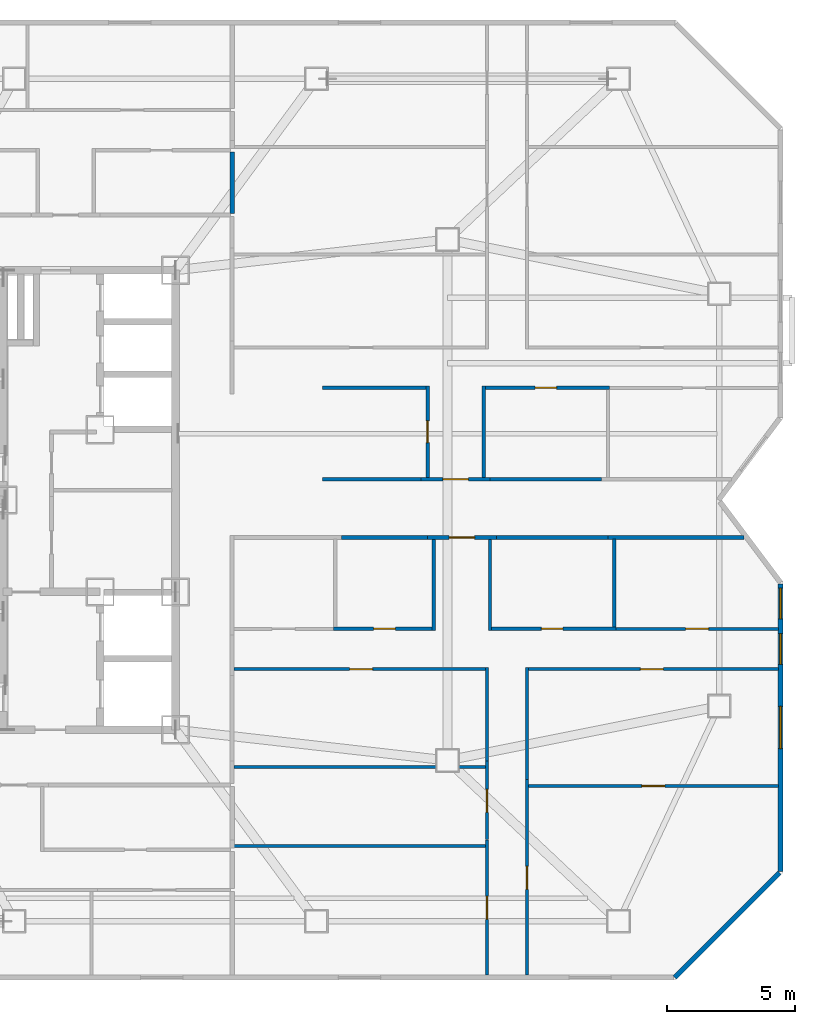
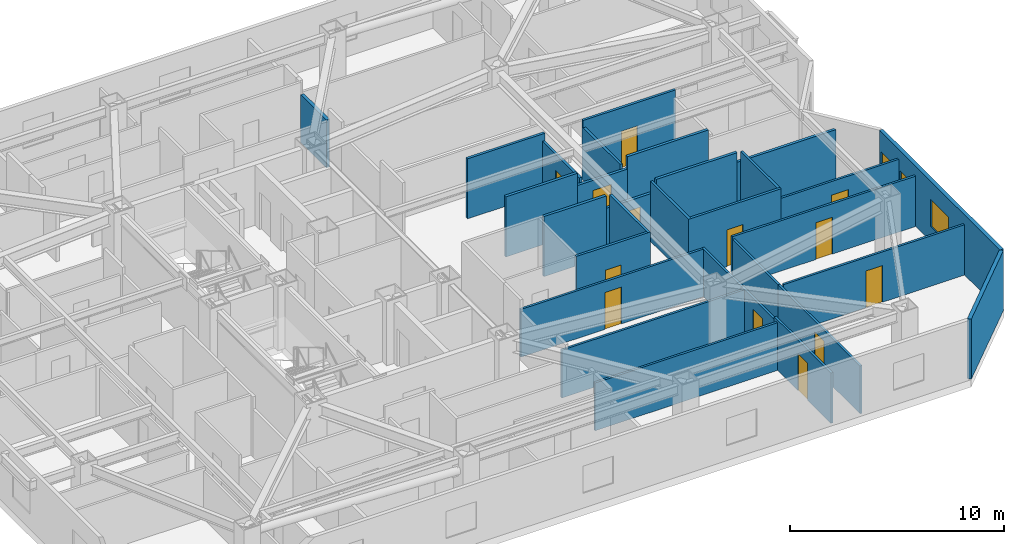
# One storey, part 8 of 11: 30 walls, 13 doors, 3 windows, 16 openings.
"""IFC4 building model written with IfcOpenShell, lengths in metres."""

import ifcopenshell
import ifcopenshell.guid

model = None  # the IFC model being written
_history = None  # IfcOwnerHistory: only IFC2X3 demands one
_inside = {}  # id of a spatial element -> (the spatial element, [elements in it])
_under = {}  # id of a project, library or spatial element -> (it, [spatial elements below it])
_declared = {}  # id of a project -> (the project, [libraries it declares])
_typed = {}  # id of a type object -> (the type object, [elements of that type])
_made_of = {}  # id of a material, layer set ... -> (it, [elements and type objects made of it])


def new_model(schema):
    """Start an empty IFC model of exactly this schema.

    Asked for "IFC4X3", IfcOpenShell would pick the latest addendum, in which some entities
    have other attributes; the version numbers below select the first issue.
    IFC2X3 requires an IfcOwnerHistory on every rooted entity: one is made here for all.
    """
    global model, _history
    if schema == "IFC4X3":
        model = ifcopenshell.file(schema_version=(4, 3, 0, 0))
    else:
        model = ifcopenshell.file(schema=schema)
    _inside.clear()
    _under.clear()
    _declared.clear()
    _typed.clear()
    _made_of.clear()
    _history = None
    if model.schema == "IFC2X3":
        org = make("IfcOrganization", Name="unknown")
        user = make(
            "IfcPersonAndOrganization",
            ThePerson=make("IfcPerson", FamilyName="unknown"),
            TheOrganization=org,
        )
        app = make(
            "IfcApplication",
            ApplicationDeveloper=org,
            Version="unknown",
            ApplicationFullName="unknown",
            ApplicationIdentifier="unknown",
        )
        _history = make(
            "IfcOwnerHistory",
            OwningUser=user,
            OwningApplication=app,
            ChangeAction="ADDED",
            CreationDate=0,
        )
    return model


def make(cls, **values):
    """One entity of the class cls with the attributes given. An attribute that is None is left unset."""
    return model.create_entity(
        cls, **{name: value for name, value in values.items() if value is not None}
    )


def rooted(cls, **values):
    """An entity with a GlobalId (a new one), such as an element, a storey or a relation."""
    return make(cls, GlobalId=ifcopenshell.guid.new(), OwnerHistory=_history, **values)


def si_unit(unit_type, name, prefix=None):
    """IfcSIUnit, for example si_unit("LENGTHUNIT", "METRE", prefix="MILLI")."""
    return make("IfcSIUnit", UnitType=unit_type, Prefix=prefix, Name=name)


def assignment(units):
    """IfcUnitAssignment: the units of a project."""
    return None if units is None else make("IfcUnitAssignment", Units=units)


def point(xyz):
    """IfcCartesianPoint."""
    return None if xyz is None else make("IfcCartesianPoint", Coordinates=xyz)


def direction(xyz):
    """IfcDirection."""
    return None if xyz is None else make("IfcDirection", DirectionRatios=xyz)


def frame(location, z_axis=None, x_axis=None):
    """IfcAxis2Placement3D, a coordinate frame: its origin and axes. An axis left out is left unset."""
    return make(
        "IfcAxis2Placement3D",
        Location=point(location),
        Axis=direction(z_axis),
        RefDirection=direction(x_axis),
    )


def frame_2d(location, x_axis=None):
    """IfcAxis2Placement2D, a coordinate frame in the plane: its origin and x axis."""
    return make(
        "IfcAxis2Placement2D", Location=point(location), RefDirection=direction(x_axis)
    )


def origin():
    """The frame at (0, 0, 0) with its axes left unset."""
    return frame((0.0, 0.0, 0.0))


def place(relative_to, where):
    """IfcLocalPlacement: puts the frame where relative to a parent placement (None: the world)."""
    return make(
        "IfcLocalPlacement", PlacementRelTo=relative_to, RelativePlacement=where
    )


def context(
    kind, dimensions, precision=None, world=None, true_north=None, identifier=None
):
    """IfcGeometricRepresentationContext, for example the 3D "Model" context."""
    return make(
        "IfcGeometricRepresentationContext",
        ContextIdentifier=identifier,
        ContextType=kind,
        CoordinateSpaceDimension=dimensions,
        Precision=precision,
        WorldCoordinateSystem=world,
        TrueNorth=true_north,
    )


def subcontext(parent, identifier, kind, view, scale=None):
    """IfcGeometricRepresentationSubContext, for example "Body" below "Model"."""
    return make(
        "IfcGeometricRepresentationSubContext",
        ContextIdentifier=identifier,
        ContextType=kind,
        ParentContext=parent,
        TargetScale=scale,
        TargetView=view,
    )


def project(units=None, contexts=None):
    """IfcProject with its units and contexts."""
    return rooted(
        "IfcProject",
        Name="project",
        RepresentationContexts=contexts,
        UnitsInContext=assignment(units),
    )


def spatial(cls, under=None, at=None, **own):
    """A site, building, storey or space (cls), placed at a placement, below another one or the project."""
    s = rooted(cls, ObjectPlacement=at, **own)
    if under is not None:
        _under.setdefault(under.id(), (under, []))[1].append(s)
    return s


def profile(cls, at=None, kind="AREA", **sizes):
    """A parametric profile (cls). Its sizes go by their IFC names, for example OverallWidth=200.0."""
    return make(cls, ProfileType=kind, Position=at, **sizes)


def rectangle(**sizes):
    """IfcRectangleProfileDef."""
    return profile("IfcRectangleProfileDef", **sizes)


def extrude(swept, where, along, depth):
    """IfcExtrudedAreaSolid: the profile swept, set in the frame where, extruded along a direction by depth."""
    return make(
        "IfcExtrudedAreaSolid",
        SweptArea=swept,
        Position=where,
        ExtrudedDirection=direction(along),
        Depth=depth,
    )


def shape(context_of_items, identifier, shape_type, items):
    """IfcShapeRepresentation: the items that make up one representation, for example the "Body"."""
    return make(
        "IfcShapeRepresentation",
        ContextOfItems=context_of_items,
        RepresentationIdentifier=identifier,
        RepresentationType=shape_type,
        Items=items,
    )


def material(Name=None, Category=None):
    """IfcMaterial."""
    return make("IfcMaterial", Name=Name, Category=Category)


def layer(
    of_material, thickness, ventilated=None, Name=None, Category=None, Priority=None
):
    """IfcMaterialLayer: one layer of a wall or slab, of a material (None: an air gap)."""
    return make(
        "IfcMaterialLayer",
        Material=of_material,
        LayerThickness=thickness,
        IsVentilated=ventilated,
        Name=Name,
        Category=Category,
        Priority=Priority,
    )


def layer_set(layers, Name=None):
    """IfcMaterialLayerSet."""
    return make("IfcMaterialLayerSet", MaterialLayers=layers, LayerSetName=Name)


def made_of(thing, what):
    """Note that an element or type object is made of a material, layer set ...; save() writes the relation."""
    if what is not None:
        _made_of.setdefault(what.id(), (what, []))[1].append(thing)
    return thing


def type_object(cls, material=None, **own):
    """A type object (cls), such as IfcWallType, which elements share."""
    return made_of(rooted(cls, **own), material)


def element(
    cls,
    number,
    at=None,
    inside=None,
    cuts=None,
    type_object=None,
    material=None,
    context=None,
    identifier="Body",
    shape_type=None,
    held_by="IfcProductDefinitionShape",
    body=None,
    shapes=None,
    **own,
):
    """One element of the class cls, such as IfcWall. Its Tag is "e" and its number.

    at: its placement. inside: the storey or other place that contains it. cuts: it is an
    opening in that element (IfcRelVoidsElement). A single representation is given by context,
    identifier, shape_type and body (its items); several are given by shapes. held_by: the class
    of the entity that holds the representations. save() writes the other relations.
    """
    e = rooted(cls, Tag="e%d" % number, ObjectPlacement=at, **own)
    if body is not None:
        shapes = [shape(context, identifier, shape_type, body)]
    if shapes is not None:
        e.Representation = make(held_by, Representations=shapes)
    if inside is not None:
        _inside.setdefault(inside.id(), (inside, []))[1].append(e)
    if cuts is not None:
        rooted(
            "IfcRelVoidsElement", RelatingBuildingElement=cuts, RelatedOpeningElement=e
        )
    if type_object is not None:
        _typed.setdefault(type_object.id(), (type_object, []))[1].append(e)
    return made_of(e, material)


def fill(opening, filler):
    """IfcRelFillsElement: the door or window that sits in an opening."""
    return rooted(
        "IfcRelFillsElement",
        RelatingOpeningElement=opening,
        RelatedBuildingElement=filler,
    )


def aggregate(whole, parts):
    """IfcRelAggregates: a whole, such as a stair, and the parts it consists of."""
    return rooted("IfcRelAggregates", RelatingObject=whole, RelatedObjects=parts)


def save(model, path):
    """Write the relations noted so far, then the file.

    IfcRelAggregates (storeys below a building ...), IfcRelContainedInSpatialStructure (elements
    in a storey), IfcRelDefinesByType, IfcRelAssociatesMaterial and IfcRelDeclares: one each for
    every whole, place, type object, material and project.
    """
    for whole, parts in _under.values():
        aggregate(whole, parts)
    for where, things in _inside.values():
        rooted(
            "IfcRelContainedInSpatialStructure",
            RelatedElements=things,
            RelatingStructure=where,
        )
    for kind, things in _typed.values():
        rooted("IfcRelDefinesByType", RelatedObjects=things, RelatingType=kind)
    for what, things in _made_of.values():
        rooted("IfcRelAssociatesMaterial", RelatedObjects=things, RelatingMaterial=what)
    for by, libraries in _declared.values():
        rooted("IfcRelDeclares", RelatingContext=by, RelatedDefinitions=libraries)
    model.write(path)


model = new_model("IFC4")

# Units and contexts
model_context = context("Model", 3, precision=1e-05, world=origin(), true_north=direction((0.0, 1.0)))
body_context = subcontext(model_context, "Body", "Model", "MODEL_VIEW")
ifc_project = project(units=[si_unit("LENGTHUNIT", "METRE"), si_unit("AREAUNIT", "SQUARE_METRE"), si_unit("VOLUMEUNIT", "CUBIC_METRE"), si_unit("PLANEANGLEUNIT", "RADIAN"), si_unit("MASSUNIT", "GRAM", prefix="KILO")], contexts=[model_context])

# Site, building, storey
site_placement = place(None, origin())
site = spatial("IfcSite", under=ifc_project, at=site_placement, CompositionType="ELEMENT")
building_placement = place(site_placement, origin())
building = spatial("IfcBuilding", under=site, at=building_placement, Name="Khamvora Tower", CompositionType="ELEMENT")
storey_placement = place(building_placement, frame((0.0, 0.0, 155.89990234375)))
storey = spatial("IfcBuildingStorey", under=building, at=storey_placement, Name="L39", CompositionType="ELEMENT", Elevation=155.89990234375)

# Wall
ifc_material_1 = material(Name="Fire-Rated Drywall and Steel Stud", Category="steel")
ifc_layer_1 = layer(ifc_material_1, 0.14990234375)
ifc_layer_set_1 = layer_set([ifc_layer_1], Name="Fire-Rated Drywall and Steel Stud")
wall_type_1 = type_object("IfcWallType", Name="WAL-CORR-150", PredefinedType="STANDARD", material=ifc_layer_set_1)
wall_1_placement = place(storey_placement, frame((61.669921875, 26.534912109375, 0.0), z_axis=(0.0, 0.0, 1.0), x_axis=(-1.0, 0.0, 0.0)))
element("IfcWall", 1, at=wall_1_placement, inside=storey, type_object=wall_type_1, Name="L39 interior partition wall 024", PredefinedType="STANDARD", context=body_context, shape_type="SweptSolid", body=[
    extrude(rectangle(XDim=5.3359375, YDim=0.14990234375, at=frame_2d((2.66796875, 0.0))), origin(), (0.0, 0.0, 1.0), 2.8759765625),
])

# Wall, opening, door
wall_2_placement = place(storey_placement, frame((51.967041015625, 26.534912109375, 0.0), z_axis=(0.0, 0.0, 1.0), x_axis=(-1.0, 0.0, 0.0)))
wall_2 = element("IfcWall", 2, at=wall_2_placement, inside=storey, type_object=wall_type_1, Name="L39 interior partition wall 025", PredefinedType="STANDARD", context=body_context, shape_type="SweptSolid", body=[
    extrude(rectangle(XDim=2.697998046875, YDim=0.14990234375, at=frame_2d((1.34912109375, 0.0))), origin(), (0.0, 0.0, 1.0), 2.72509765625),
])
opening_1_placement = place(wall_2_placement, frame((0.84912109375, 0.0, 0.0)))
opening_1 = element("IfcOpeningElement", 3, at=opening_1_placement, cuts=wall_2, Name="Opening D-U1", PredefinedType="OPENING", context=body_context, shape_type="SweptSolid", body=[
    extrude(rectangle(XDim=1.0, YDim=2.14990234375, at=frame_2d((0.5, 1.074951171875))), frame((0.0, 0.0849609375, 0.0), z_axis=(0.0, -1.0, 0.0), x_axis=(1.0, 0.0, 0.0)), (0.0, 0.0, 1.0), 0.169921875),
])
ifc_material_2 = material(Name="Powder-Coated Steel and Hardwood Leaf", Category="steel")
door_type_1 = type_object("IfcDoorType", Name="DOR-UNIT-1000", OperationType="NOTDEFINED", PredefinedType="DOOR", material=ifc_material_2)
door_1_placement = place(opening_1_placement, origin())
door_1 = element("IfcDoor", 4, at=door_1_placement, inside=storey, type_object=door_type_1, Name="L39 interior door COR-39EAH", OperationType="SINGLE_SWING_RIGHT", OverallHeight=2.14990234375, OverallWidth=1.0, PredefinedType="DOOR", context=body_context, shape_type="SweptSolid", body=[
    extrude(rectangle(XDim=1.0, YDim=2.14990234375, at=frame_2d((0.5, 1.074951171875))), frame((0.0, 0.02490234375, 0.0), z_axis=(0.0, -1.0, 0.0), x_axis=(1.0, 0.0, 0.0)), (0.0, 0.0, 1.0), 0.050048828125),
])
fill(opening_1, door_1)

# Walls
wall_3_placement = place(storey_placement, frame((49.26904296875, 26.534912109375, 0.0), z_axis=(0.0, 0.0, 1.0), x_axis=(-1.0, 0.0, 0.0)))
element("IfcWall", 5, at=wall_3_placement, inside=storey, type_object=wall_type_1, Name="L39 interior partition wall 027", PredefinedType="STANDARD", context=body_context, shape_type="SweptSolid", body=[
    extrude(rectangle(XDim=3.366943359375, YDim=0.14990234375, at=frame_2d((1.68359375, 0.0))), origin(), (0.0, 0.0, 1.0), 3.43017578125),
])
wall_4_placement = place(storey_placement, frame((56.333984375, 26.534912109375, 0.0), z_axis=(0.0, 0.0, 1.0), x_axis=(-1.0, 0.0, 0.0)))
element("IfcWall", 6, at=wall_4_placement, inside=storey, type_object=wall_type_1, Name="L39 interior partition wall 028", PredefinedType="STANDARD", context=body_context, shape_type="SweptSolid", body=[
    extrude(rectangle(XDim=4.366943359375, YDim=0.14990234375, at=frame_2d((2.18359375, 0.0))), origin(), (0.0, 0.0, 1.0), 3.43017578125),
])

# Wall, opening, door
wall_5_placement = place(storey_placement, frame((49.02490234375, 28.81494140625, 0.0), z_axis=(0.0, 0.0, 1.0), x_axis=(1.0, 0.0, 0.0)))
wall_5 = element("IfcWall", 7, at=wall_5_placement, inside=storey, type_object=wall_type_1, Name="L39 interior partition wall 033", PredefinedType="STANDARD", context=body_context, shape_type="SweptSolid", body=[
    extrude(rectangle(XDim=2.69921875, YDim=0.14990234375, at=frame_2d((1.349609375, 0.0))), origin(), (0.0, 0.0, 1.0), 2.72509765625),
])
opening_2_placement = place(wall_5_placement, frame((0.84912109375, 0.0, 0.0)))
opening_2 = element("IfcOpeningElement", 8, at=opening_2_placement, cuts=wall_5, Name="Opening D-U1", PredefinedType="OPENING", context=body_context, shape_type="SweptSolid", body=[
    extrude(rectangle(XDim=1.0, YDim=2.14990234375, at=frame_2d((0.5, 1.074951171875))), frame((0.0, 0.0849609375, 0.0), z_axis=(0.0, -1.0, 0.0), x_axis=(1.0, 0.0, 0.0)), (0.0, 0.0, 1.0), 0.169921875),
])
door_2_placement = place(opening_2_placement, origin())
door_2 = element("IfcDoor", 9, at=door_2_placement, inside=storey, type_object=door_type_1, Name="L39 interior door COR-39EBH", OperationType="SINGLE_SWING_LEFT", OverallHeight=2.14990234375, OverallWidth=1.0, PredefinedType="DOOR", context=body_context, shape_type="SweptSolid", body=[
    extrude(rectangle(XDim=1.0, YDim=2.14990234375, at=frame_2d((0.5, 1.074951171875))), frame((0.0, 0.02490234375, 0.0), z_axis=(0.0, -1.0, 0.0), x_axis=(1.0, 0.0, 0.0)), (0.0, 0.0, 1.0), 0.050048828125),
])
fill(opening_2, door_2)

# Walls
wall_6_placement = place(storey_placement, frame((45.159912109375, 28.81494140625, 0.0), z_axis=(0.0, 0.0, 1.0), x_axis=(1.0, 0.0, 0.0)))
element("IfcWall", 10, at=wall_6_placement, inside=storey, type_object=wall_type_1, Name="L39 interior partition wall 034", PredefinedType="STANDARD", context=body_context, shape_type="SweptSolid", body=[
    extrude(rectangle(XDim=3.864990234375, YDim=0.14990234375, at=frame_2d((1.9326171875, 0.0))), origin(), (0.0, 0.0, 1.0), 3.43017578125),
])
wall_7_placement = place(storey_placement, frame((51.72412109375, 28.81494140625, 0.0), z_axis=(0.0, 0.0, 1.0), x_axis=(1.0, 0.0, 0.0)))
element("IfcWall", 11, at=wall_7_placement, inside=storey, type_object=wall_type_1, Name="L39 interior partition wall 035", PredefinedType="STANDARD", context=body_context, shape_type="SweptSolid", body=[
    extrude(rectangle(XDim=4.365966796875, YDim=0.14990234375, at=frame_2d((2.18310546875, 0.0))), origin(), (0.0, 0.0, 1.0), 3.43017578125),
])
ifc_material_3 = material(Name="Acoustic Double-Stud Fire Wall", Category="gypsum")
ifc_layer_2 = layer(ifc_material_3, 0.179931640625)
ifc_layer_set_2 = layer_set([ifc_layer_2], Name="Acoustic Double-Stud Fire Wall")
wall_type_2 = type_object("IfcWallType", Name="WAL-CORR-180", PredefinedType="STANDARD", material=ifc_layer_set_2)
wall_8_placement = place(storey_placement, frame((41.614990234375, 41.6298828125, 0.0), z_axis=(0.0, 0.0, 1.0), x_axis=(0.0, -1.0, 0.0)))
element("IfcWall", 12, at=wall_8_placement, inside=storey, type_object=wall_type_2, Name="L39 interior partition wall 084", PredefinedType="STANDARD", context=body_context, shape_type="SweptSolid", body=[
    extrude(rectangle(XDim=2.39990234375, YDim=0.179931640625, at=frame_2d((1.199951171875, 0.0))), origin(), (0.0, 0.0, 1.0), 2.72509765625),
])

# Wall, openings, windows
ifc_material_4 = material(Name="Precast concrete C40/50", Category="concrete")
ifc_layer_3 = layer(ifc_material_4, 0.199951171875)
ifc_layer_set_3 = layer_set([ifc_layer_3], Name="Precast concrete C40/50")
wall_type_3 = type_object("IfcWallType", Name="WAL-EXT-200", PredefinedType="STANDARD", material=ifc_layer_set_3)
wall_9_placement = place(storey_placement, frame((63.10009765625, 24.717041015625, 0.0), z_axis=(0.0, 0.0, 1.0), x_axis=(0.0, -1.0, 0.0)))
wall_9 = element("IfcWall", 13, at=wall_9_placement, inside=storey, type_object=wall_type_3, Name="L39 exterior facade wall 12.1", PredefinedType="STANDARD", context=body_context, shape_type="SweptSolid", body=[
    extrude(rectangle(XDim=11.276123046875, YDim=0.199951171875, at=frame_2d((5.63818359375, 0.0))), origin(), (0.0, 0.0, 1.0), 3.43017578125),
])
opening_3_placement = place(wall_9_placement, frame((0.173095703125, 0.0, 0.800048828125)))
opening_3 = element("IfcOpeningElement", 14, at=opening_3_placement, cuts=wall_9, Name="Opening WN-03", PredefinedType="OPENING", context=body_context, shape_type="SweptSolid", body=[
    extrude(rectangle(XDim=1.199951171875, YDim=1.5, at=frame_2d((0.60009765625, 0.75))), frame((0.0, 0.10986328125, 0.0), z_axis=(0.0, -1.0, 0.0), x_axis=(1.0, 0.0, 0.0)), (0.0, 0.0, 1.0), 0.219970703125),
])
opening_4_placement = place(wall_9_placement, frame((1.951904296875, 0.0, 0.800048828125)))
opening_4 = element("IfcOpeningElement", 15, at=opening_4_placement, cuts=wall_9, Name="Opening WN-03", PredefinedType="OPENING", context=body_context, shape_type="SweptSolid", body=[
    extrude(rectangle(XDim=1.199951171875, YDim=1.5, at=frame_2d((0.60009765625, 0.75))), frame((0.0, 0.10986328125, 0.0), z_axis=(0.0, -1.0, 0.0), x_axis=(1.0, 0.0, 0.0)), (0.0, 0.0, 1.0), 0.219970703125),
])
opening_5_placement = place(wall_9_placement, frame((4.804931640625, 0.0, 0.85009765625)))
opening_5 = element("IfcOpeningElement", 16, at=opening_5_placement, cuts=wall_9, Name="Opening WN-06", PredefinedType="OPENING", context=body_context, shape_type="SweptSolid", body=[
    extrude(rectangle(XDim=1.64990234375, YDim=1.550048828125, at=frame_2d((0.824951171875, 0.77490234375))), frame((0.0, 0.10986328125, 0.0), z_axis=(0.0, -1.0, 0.0), x_axis=(1.0, 0.0, 0.0)), (0.0, 0.0, 1.0), 0.219970703125),
])
ifc_material_5 = material(Name="Low-E Laminated Double Glazing", Category="glass")
window_type_1 = type_object("IfcWindowType", Name="WIN-VIS-1200x1500", PartitioningType="SINGLE_PANEL", PredefinedType="WINDOW", material=ifc_material_5)
window_1_placement = place(opening_3_placement, origin())
window_1 = element("IfcWindow", 17, at=window_1_placement, inside=storey, type_object=window_type_1, Name="L39 vision window 12.1.01", OverallHeight=1.5, OverallWidth=1.199951171875, PartitioningType="SINGLE_PANEL", PredefinedType="WINDOW", context=body_context, shape_type="SweptSolid", body=[
    extrude(rectangle(XDim=1.199951171875, YDim=1.5, at=frame_2d((0.60009765625, 0.75))), frame((0.0, 0.030029296875, 0.0), z_axis=(0.0, -1.0, 0.0), x_axis=(1.0, 0.0, 0.0)), (0.0, 0.0, 1.0), 0.06005859375),
])
fill(opening_3, window_1)
window_2_placement = place(opening_4_placement, origin())
window_2 = element("IfcWindow", 18, at=window_2_placement, inside=storey, type_object=window_type_1, Name="L39 vision window 12.1.02", OverallHeight=1.5, OverallWidth=1.199951171875, PartitioningType="SINGLE_PANEL", PredefinedType="WINDOW", context=body_context, shape_type="SweptSolid", body=[
    extrude(rectangle(XDim=1.199951171875, YDim=1.5, at=frame_2d((0.60009765625, 0.75))), frame((0.0, 0.030029296875, 0.0), z_axis=(0.0, -1.0, 0.0), x_axis=(1.0, 0.0, 0.0)), (0.0, 0.0, 1.0), 0.06005859375),
])
fill(opening_4, window_2)
window_type_2 = type_object("IfcWindowType", Name="WIN-VIS-1650x1550", PartitioningType="SINGLE_PANEL", PredefinedType="WINDOW", material=ifc_material_5)
window_3_placement = place(opening_5_placement, origin())
window_3 = element("IfcWindow", 19, at=window_3_placement, inside=storey, type_object=window_type_2, Name="L39 vision window 12.1.03", OverallHeight=1.550048828125, OverallWidth=1.64990234375, PartitioningType="SINGLE_PANEL", PredefinedType="WINDOW", context=body_context, shape_type="SweptSolid", body=[
    extrude(rectangle(XDim=1.64990234375, YDim=1.550048828125, at=frame_2d((0.824951171875, 0.77490234375))), frame((0.0, 0.030029296875, 0.0), z_axis=(0.0, -1.0, 0.0), x_axis=(1.0, 0.0, 0.0)), (0.0, 0.0, 1.0), 0.06005859375),
])
fill(opening_5, window_3)

# Wall
wall_10_placement = place(storey_placement, frame((63.056884765625, 13.39794921875, 0.0), z_axis=(0.0, 0.0, 1.0), x_axis=(-0.707106781187, -0.707106781187, 0.0)))
element("IfcWall", 20, at=wall_10_placement, inside=storey, type_object=wall_type_3, Name="L39 exterior facade wall 13.1", PredefinedType="STANDARD", context=body_context, shape_type="SweptSolid", body=[
    extrude(rectangle(XDim=5.79541015625, YDim=0.199951171875, at=frame_2d((2.897705078125, 0.0))), origin(), (0.0, 0.0, 1.0), 3.43017578125),
])

# Wall, opening, door
ifc_material_6 = material(Name="Gypsum Plasterboard Partition", Category="gypsum")
ifc_layer_4 = layer(ifc_material_6, 0.1201171875)
ifc_layer_set_4 = layer_set([ifc_layer_4], Name="Gypsum Plasterboard Partition")
wall_type_4 = type_object("IfcWallType", Name="WAL-PART-120", PredefinedType="PARTITIONING", material=ifc_layer_set_4)
wall_11_placement = place(storey_placement, frame((63.008056640625, 22.955078125, 0.0), z_axis=(0.0, 0.0, 1.0), x_axis=(-1.0, 0.0, 0.0)))
wall_11 = element("IfcWall", 21, at=wall_11_placement, inside=storey, type_object=wall_type_4, Name="L39 interior partition wall 089", PredefinedType="PARTITIONING", context=body_context, shape_type="SweptSolid", body=[
    extrude(rectangle(XDim=6.360107421875, YDim=0.1201171875, at=frame_2d((3.18017578125, 0.0))), origin(), (0.0, 0.0, 1.0), 2.8759765625),
])
opening_6_placement = place(wall_11_placement, frame((2.72998046875, 0.0, 0.0)))
opening_6 = element("IfcOpeningElement", 22, at=opening_6_placement, cuts=wall_11, Name="Opening D-RM1", PredefinedType="OPENING", context=body_context, shape_type="SweptSolid", body=[
    extrude(rectangle(XDim=0.89990234375, YDim=2.10009765625, at=frame_2d((0.449951171875, 1.050048828125))), frame((0.0, 0.070068359375, 0.0), z_axis=(0.0, -1.0, 0.0), x_axis=(1.0, 0.0, 0.0)), (0.0, 0.0, 1.0), 0.14013671875),
])
door_type_2 = type_object("IfcDoorType", Name="DOR-ROOM-900", OperationType="NOTDEFINED", PredefinedType="DOOR", material=ifc_material_2)
door_3_placement = place(opening_6_placement, origin())
door_3 = element("IfcDoor", 23, at=door_3_placement, inside=storey, type_object=door_type_2, Name="L39 interior door 39EAW2-39EAH", OperationType="SINGLE_SWING_LEFT", OverallHeight=2.10009765625, OverallWidth=0.89990234375, PredefinedType="DOOR", context=body_context, shape_type="SweptSolid", body=[
    extrude(rectangle(XDim=0.89990234375, YDim=2.10009765625, at=frame_2d((0.449951171875, 1.050048828125))), frame((0.0, 0.02490234375, 0.0), z_axis=(0.0, -1.0, 0.0), x_axis=(1.0, 0.0, 0.0)), (0.0, 0.0, 1.0), 0.050048828125),
])
fill(opening_6, door_3)

wall_12_placement = place(storey_placement, frame((51.60009765625, 9.39208984375, 0.0), z_axis=(0.0, 0.0, 1.0), x_axis=(0.0, 1.0, 0.0)))
wall_12 = element("IfcWall", 24, at=wall_12_placement, inside=storey, type_object=wall_type_4, Name="L39 interior partition wall 095", PredefinedType="PARTITIONING", context=body_context, shape_type="SweptSolid", body=[
    extrude(rectangle(XDim=5.301025390625, YDim=0.1201171875, at=frame_2d((2.650390625, 0.0))), origin(), (0.0, 0.0, 1.0), 2.8759765625),
])
opening_7_placement = place(wall_12_placement, frame((2.178955078125, 0.0, 0.0)))
opening_7 = element("IfcOpeningElement", 25, at=opening_7_placement, cuts=wall_12, Name="Opening D-RM1", PredefinedType="OPENING", context=body_context, shape_type="SweptSolid", body=[
    extrude(rectangle(XDim=0.89990234375, YDim=2.10009765625, at=frame_2d((0.449951171875, 1.050048828125))), frame((0.0, 0.070068359375, 0.0), z_axis=(0.0, -1.0, 0.0), x_axis=(1.0, 0.0, 0.0)), (0.0, 0.0, 1.0), 0.14013671875),
])
door_4_placement = place(opening_7_placement, origin())
door_4 = element("IfcDoor", 26, at=door_4_placement, inside=storey, type_object=door_type_2, Name="L39 interior door 39EAH-39EAR1", OperationType="SINGLE_SWING_RIGHT", OverallHeight=2.10009765625, OverallWidth=0.89990234375, PredefinedType="DOOR", context=body_context, shape_type="SweptSolid", body=[
    extrude(rectangle(XDim=0.89990234375, YDim=2.10009765625, at=frame_2d((0.449951171875, 1.050048828125))), frame((0.0, 0.02490234375, 0.0), z_axis=(0.0, -1.0, 0.0), x_axis=(1.0, 0.0, 0.0)), (0.0, 0.0, 1.0), 0.050048828125),
])
fill(opening_7, door_4)

wall_13_placement = place(storey_placement, frame((51.60009765625, 14.693115234375, 0.0), z_axis=(0.0, 0.0, 1.0), x_axis=(0.0, 1.0, 0.0)))
wall_13 = element("IfcWall", 27, at=wall_13_placement, inside=storey, type_object=wall_type_4, Name="L39 interior partition wall 096", PredefinedType="PARTITIONING", context=body_context, shape_type="SweptSolid", body=[
    extrude(rectangle(XDim=3.0927734375, YDim=0.1201171875, at=frame_2d((1.54638671875, 0.0))), origin(), (0.0, 0.0, 1.0), 2.72509765625),
])
opening_8_placement = place(wall_13_placement, frame((1.075927734375, 0.0, 0.0)))
opening_8 = element("IfcOpeningElement", 28, at=opening_8_placement, cuts=wall_13, Name="Opening D-RM1", PredefinedType="OPENING", context=body_context, shape_type="SweptSolid", body=[
    extrude(rectangle(XDim=0.89990234375, YDim=2.10009765625, at=frame_2d((0.449951171875, 1.050048828125))), frame((0.0, 0.070068359375, 0.0), z_axis=(0.0, -1.0, 0.0), x_axis=(1.0, 0.0, 0.0)), (0.0, 0.0, 1.0), 0.14013671875),
])
door_5_placement = place(opening_8_placement, origin())
door_5 = element("IfcDoor", 29, at=door_5_placement, inside=storey, type_object=door_type_2, Name="L39 interior door 39EAH-39EAR2", OperationType="SINGLE_SWING_LEFT", OverallHeight=2.10009765625, OverallWidth=0.89990234375, PredefinedType="DOOR", context=body_context, shape_type="SweptSolid", body=[
    extrude(rectangle(XDim=0.89990234375, YDim=2.10009765625, at=frame_2d((0.449951171875, 1.050048828125))), frame((0.0, 0.02490234375, 0.0), z_axis=(0.0, -1.0, 0.0), x_axis=(1.0, 0.0, 0.0)), (0.0, 0.0, 1.0), 0.050048828125),
])
fill(opening_8, door_5)

# Wall
wall_14_placement = place(storey_placement, frame((51.60009765625, 17.785888671875, 0.0), z_axis=(0.0, 0.0, 1.0), x_axis=(0.0, 1.0, 0.0)))
element("IfcWall", 30, at=wall_14_placement, inside=storey, type_object=wall_type_4, Name="L39 interior partition wall 097", PredefinedType="PARTITIONING", context=body_context, shape_type="SweptSolid", body=[
    extrude(rectangle(XDim=3.654052734375, YDim=0.1201171875, at=frame_2d((1.8271484375, 0.0))), origin(), (0.0, 0.0, 1.0), 2.72509765625),
])

# Wall, opening, door
wall_15_placement = place(storey_placement, frame((51.653076171875, 21.375, 0.0), z_axis=(0.0, 0.0, 1.0), x_axis=(-1.0, 0.0, 0.0)))
wall_15 = element("IfcWall", 31, at=wall_15_placement, inside=storey, type_object=wall_type_4, Name="L39 interior partition wall 098", PredefinedType="PARTITIONING", context=body_context, shape_type="SweptSolid", body=[
    extrude(rectangle(XDim=9.97119140625, YDim=0.1201171875, at=frame_2d((4.985595703125, 0.0))), origin(), (0.0, 0.0, 1.0), 2.72509765625),
])
opening_9_placement = place(wall_15_placement, frame((4.534912109375, 0.0, 0.0)))
opening_9 = element("IfcOpeningElement", 32, at=opening_9_placement, cuts=wall_15, Name="Opening D-RM1", PredefinedType="OPENING", context=body_context, shape_type="SweptSolid", body=[
    extrude(rectangle(XDim=0.89990234375, YDim=2.10009765625, at=frame_2d((0.449951171875, 1.050048828125))), frame((0.0, 0.070068359375, 0.0), z_axis=(0.0, -1.0, 0.0), x_axis=(1.0, 0.0, 0.0)), (0.0, 0.0, 1.0), 0.14013671875),
])
door_6_placement = place(opening_9_placement, origin())
door_6 = element("IfcDoor", 33, at=door_6_placement, inside=storey, type_object=door_type_2, Name="L39 interior door 39EAH-39EAR3", OperationType="SINGLE_SWING_RIGHT", OverallHeight=2.10009765625, OverallWidth=0.89990234375, PredefinedType="DOOR", context=body_context, shape_type="SweptSolid", body=[
    extrude(rectangle(XDim=0.89990234375, YDim=2.10009765625, at=frame_2d((0.449951171875, 1.050048828125))), frame((0.0, 0.02490234375, 0.0), z_axis=(0.0, -1.0, 0.0), x_axis=(1.0, 0.0, 0.0)), (0.0, 0.0, 1.0), 0.050048828125),
])
fill(opening_9, door_6)

wall_16_placement = place(storey_placement, frame((53.169921875, 17.048095703125, 0.0), z_axis=(0.0, 0.0, 1.0), x_axis=(0.0, -1.0, 0.0)))
wall_16 = element("IfcWall", 34, at=wall_16_placement, inside=storey, type_object=wall_type_4, Name="L39 interior partition wall 099", PredefinedType="PARTITIONING", context=body_context, shape_type="SweptSolid", body=[
    extrude(rectangle(XDim=7.656005859375, YDim=0.1201171875, at=frame_2d((3.828125, 0.0))), origin(), (0.0, 0.0, 1.0), 2.72509765625),
])
opening_10_placement = place(wall_16_placement, frame((3.39892578125, 0.0, 0.0)))
opening_10 = element("IfcOpeningElement", 35, at=opening_10_placement, cuts=wall_16, Name="Opening D-RM1", PredefinedType="OPENING", context=body_context, shape_type="SweptSolid", body=[
    extrude(rectangle(XDim=0.89990234375, YDim=2.10009765625, at=frame_2d((0.449951171875, 1.050048828125))), frame((0.0, 0.070068359375, 0.0), z_axis=(0.0, -1.0, 0.0), x_axis=(1.0, 0.0, 0.0)), (0.0, 0.0, 1.0), 0.14013671875),
])
door_7_placement = place(opening_10_placement, origin())
door_7 = element("IfcDoor", 36, at=door_7_placement, inside=storey, type_object=door_type_2, Name="L39 interior door 39EAH-39EAR4", OperationType="SINGLE_SWING_LEFT", OverallHeight=2.10009765625, OverallWidth=0.89990234375, PredefinedType="DOOR", context=body_context, shape_type="SweptSolid", body=[
    extrude(rectangle(XDim=0.89990234375, YDim=2.10009765625, at=frame_2d((0.449951171875, 1.050048828125))), frame((0.0, 0.02490234375, 0.0), z_axis=(0.0, -1.0, 0.0), x_axis=(1.0, 0.0, 0.0)), (0.0, 0.0, 1.0), 0.050048828125),
])
fill(opening_10, door_7)

wall_17_placement = place(storey_placement, frame((63.008056640625, 21.375, 0.0), z_axis=(0.0, 0.0, 1.0), x_axis=(-1.0, 0.0, 0.0)))
wall_17 = element("IfcWall", 37, at=wall_17_placement, inside=storey, type_object=wall_type_4, Name="L39 interior partition wall 100", PredefinedType="PARTITIONING", context=body_context, shape_type="SweptSolid", body=[
    extrude(rectangle(XDim=9.903076171875, YDim=0.1201171875, at=frame_2d((4.95166015625, 0.0))), origin(), (0.0, 0.0, 1.0), 2.8759765625),
])
opening_11_placement = place(wall_17_placement, frame((4.501953125, 0.0, 0.0)))
opening_11 = element("IfcOpeningElement", 38, at=opening_11_placement, cuts=wall_17, Name="Opening D-RM1", PredefinedType="OPENING", context=body_context, shape_type="SweptSolid", body=[
    extrude(rectangle(XDim=0.89990234375, YDim=2.10009765625, at=frame_2d((0.449951171875, 1.050048828125))), frame((0.0, 0.070068359375, 0.0), z_axis=(0.0, -1.0, 0.0), x_axis=(1.0, 0.0, 0.0)), (0.0, 0.0, 1.0), 0.14013671875),
])
door_8_placement = place(opening_11_placement, origin())
door_8 = element("IfcDoor", 39, at=door_8_placement, inside=storey, type_object=door_type_2, Name="L39 interior door 39EAH-39EAR5", OperationType="SINGLE_SWING_RIGHT", OverallHeight=2.10009765625, OverallWidth=0.89990234375, PredefinedType="DOOR", context=body_context, shape_type="SweptSolid", body=[
    extrude(rectangle(XDim=0.89990234375, YDim=2.10009765625, at=frame_2d((0.449951171875, 1.050048828125))), frame((0.0, 0.02490234375, 0.0), z_axis=(0.0, -1.0, 0.0), x_axis=(1.0, 0.0, 0.0)), (0.0, 0.0, 1.0), 0.050048828125),
])
fill(opening_11, door_8)

# Walls
wall_18_placement = place(storey_placement, frame((53.169921875, 21.43994140625, 0.0), z_axis=(0.0, 0.0, 1.0), x_axis=(0.0, -1.0, 0.0)))
element("IfcWall", 40, at=wall_18_placement, inside=storey, type_object=wall_type_4, Name="L39 interior partition wall 101", PredefinedType="PARTITIONING", context=body_context, shape_type="SweptSolid", body=[
    extrude(rectangle(XDim=4.391845703125, YDim=0.1201171875, at=frame_2d((2.19580078125, 0.0))), origin(), (0.0, 0.0, 1.0), 2.72509765625),
])
wall_19_placement = place(storey_placement, frame((41.697021484375, 14.444091796875, 0.0), z_axis=(0.0, 0.0, 1.0), x_axis=(1.0, 0.0, 0.0)))
element("IfcWall", 41, at=wall_19_placement, inside=storey, type_object=wall_type_4, Name="L39 interior partition wall 102", PredefinedType="PARTITIONING", context=body_context, shape_type="SweptSolid", body=[
    extrude(rectangle(XDim=9.848876953125, YDim=0.1201171875, at=frame_2d((4.92431640625, 0.0))), origin(), (0.0, 0.0, 1.0), 2.72509765625),
])
wall_20_placement = place(storey_placement, frame((41.681884765625, 17.537109375, 0.0), z_axis=(0.0, 0.0, 1.0), x_axis=(1.0, 0.0, 0.0)))
element("IfcWall", 42, at=wall_20_placement, inside=storey, type_object=wall_type_4, Name="L39 interior partition wall 103", PredefinedType="PARTITIONING", context=body_context, shape_type="SweptSolid", body=[
    extrude(rectangle(XDim=9.864013671875, YDim=0.1201171875, at=frame_2d((4.93212890625, 0.0))), origin(), (0.0, 0.0, 1.0), 2.72509765625),
])

# Wall, opening, door
wall_21_placement = place(storey_placement, frame((53.22412109375, 16.799072265625, 0.0), z_axis=(0.0, 0.0, 1.0), x_axis=(1.0, 0.0, 0.0)))
wall_21 = element("IfcWall", 43, at=wall_21_placement, inside=storey, type_object=wall_type_4, Name="L39 interior partition wall 104", PredefinedType="PARTITIONING", context=body_context, shape_type="SweptSolid", body=[
    extrude(rectangle(XDim=9.783935546875, YDim=0.1201171875, at=frame_2d((4.89208984375, 0.0))), origin(), (0.0, 0.0, 1.0), 2.8759765625),
])
opening_12_placement = place(wall_21_placement, frame((4.44189453125, 0.0, 0.0)))
opening_12 = element("IfcOpeningElement", 44, at=opening_12_placement, cuts=wall_21, Name="Opening D-RM1", PredefinedType="OPENING", context=body_context, shape_type="SweptSolid", body=[
    extrude(rectangle(XDim=0.89990234375, YDim=2.10009765625, at=frame_2d((0.449951171875, 1.050048828125))), frame((0.0, 0.070068359375, 0.0), z_axis=(0.0, -1.0, 0.0), x_axis=(1.0, 0.0, 0.0)), (0.0, 0.0, 1.0), 0.14013671875),
])
door_9_placement = place(opening_12_placement, origin())
door_9 = element("IfcDoor", 45, at=door_9_placement, inside=storey, type_object=door_type_2, Name="L39 interior door 39EAR4-39EAR5", OperationType="SINGLE_SWING_LEFT", OverallHeight=2.10009765625, OverallWidth=0.89990234375, PredefinedType="DOOR", context=body_context, shape_type="SweptSolid", body=[
    extrude(rectangle(XDim=0.89990234375, YDim=2.10009765625, at=frame_2d((0.449951171875, 1.050048828125))), frame((0.0, 0.02490234375, 0.0), z_axis=(0.0, -1.0, 0.0), x_axis=(1.0, 0.0, 0.0)), (0.0, 0.0, 1.0), 0.050048828125),
])
fill(opening_12, door_9)

# Wall
ifc_material_7 = material(Name="Moisture-Resistant Plasterboard Partition", Category="gypsum")
ifc_layer_5 = layer(ifc_material_7, 0.135009765625)
ifc_layer_set_5 = layer_set([ifc_layer_5], Name="Moisture-Resistant Plasterboard Partition")
wall_type_5 = type_object("IfcWallType", Name="WAL-WET-135", PredefinedType="PARTITIONING", material=ifc_layer_set_5)
wall_22_placement = place(storey_placement, frame((56.5830078125, 23.02001953125, 0.0), z_axis=(0.0, 0.0, 1.0), x_axis=(0.0, 1.0, 0.0)))
element("IfcWall", 46, at=wall_22_placement, inside=storey, type_object=wall_type_5, Name="L39 interior partition wall 090", PredefinedType="PARTITIONING", context=body_context, shape_type="SweptSolid", body=[
    extrude(rectangle(XDim=3.449951171875, YDim=0.135009765625, at=frame_2d((1.72509765625, 0.0))), origin(), (0.0, 0.0, 1.0), 3.43017578125),
])

# Wall, opening, door
wall_23_placement = place(storey_placement, frame((45.587890625, 22.955078125, 0.0), z_axis=(0.0, 0.0, 1.0), x_axis=(1.0, 0.0, 0.0)))
wall_23 = element("IfcWall", 47, at=wall_23_placement, inside=storey, type_object=wall_type_5, Name="L39 interior partition wall 091", PredefinedType="PARTITIONING", context=body_context, shape_type="SweptSolid", body=[
    extrude(rectangle(XDim=3.9951171875, YDim=0.135009765625, at=frame_2d((1.99755859375, 0.0))), origin(), (0.0, 0.0, 1.0), 3.43017578125),
])
opening_13_placement = place(wall_23_placement, frame((1.572998046875, 0.0, 0.0)))
opening_13 = element("IfcOpeningElement", 48, at=opening_13_placement, cuts=wall_23, Name="Opening D-WC1", PredefinedType="OPENING", context=body_context, shape_type="SweptSolid", body=[
    extrude(rectangle(XDim=0.85009765625, YDim=2.10009765625, at=frame_2d((0.425048828125, 1.050048828125))), frame((0.0, 0.077392578125, 0.0), z_axis=(0.0, -1.0, 0.0), x_axis=(1.0, 0.0, 0.0)), (0.0, 0.0, 1.0), 0.155029296875),
])
door_type_3 = type_object("IfcDoorType", Name="DOR-WET-850", OperationType="NOTDEFINED", PredefinedType="DOOR", material=ifc_material_2)
door_10_placement = place(opening_13_placement, origin())
door_10 = element("IfcDoor", 49, at=door_10_placement, inside=storey, type_object=door_type_3, Name="L39 interior door 39EAH-39EAB", OperationType="SINGLE_SWING_RIGHT", OverallHeight=2.10009765625, OverallWidth=0.85009765625, PredefinedType="DOOR", context=body_context, shape_type="SweptSolid", body=[
    extrude(rectangle(XDim=0.85009765625, YDim=2.10009765625, at=frame_2d((0.425048828125, 1.050048828125))), frame((0.0, 0.02490234375, 0.0), z_axis=(0.0, -1.0, 0.0), x_axis=(1.0, 0.0, 0.0)), (0.0, 0.0, 1.0), 0.050048828125),
])
fill(opening_13, door_10)

# Walls
for number, where, z_axis, x_axis, name in (
    (50, (49.51806640625, 22.889892578125, 0.0), (0.0, 0.0, 1.0), (0.0, 1.0, 0.0), "L39 interior partition wall 092"),
    (51, (51.718017578125, 26.469970703125, 0.0), (0.0, 0.0, 1.0), (0.0, -1.0, 0.0), "L39 interior partition wall 093"),
):
    element("IfcWall", number, at=place(storey_placement, frame(where, z_axis=z_axis, x_axis=x_axis)), inside=storey, type_object=wall_type_5, Name=name, PredefinedType="PARTITIONING", context=body_context, shape_type="SweptSolid", body=[
        extrude(rectangle(XDim=3.580078125, YDim=0.135009765625, at=frame_2d((1.7900390625, 0.0))), origin(), (0.0, 0.0, 1.0), 3.43017578125),
    ])

# Wall, opening, door
wall_24_placement = place(storey_placement, frame((51.653076171875, 22.955078125, 0.0), z_axis=(0.0, 0.0, 1.0), x_axis=(1.0, 0.0, 0.0)))
wall_24 = element("IfcWall", 52, at=wall_24_placement, inside=storey, type_object=wall_type_5, Name="L39 interior partition wall 094", PredefinedType="PARTITIONING", context=body_context, shape_type="SweptSolid", body=[
    extrude(rectangle(XDim=4.994873046875, YDim=0.135009765625, at=frame_2d((2.49755859375, 0.0))), origin(), (0.0, 0.0, 1.0), 3.43017578125),
])
opening_14_placement = place(wall_24_placement, frame((2.072998046875, 0.0, 0.0)))
opening_14 = element("IfcOpeningElement", 53, at=opening_14_placement, cuts=wall_24, Name="Opening D-RM2", PredefinedType="OPENING", context=body_context, shape_type="SweptSolid", body=[
    extrude(rectangle(XDim=0.85009765625, YDim=2.10009765625, at=frame_2d((0.425048828125, 1.050048828125))), frame((0.0, 0.077392578125, 0.0), z_axis=(0.0, -1.0, 0.0), x_axis=(1.0, 0.0, 0.0)), (0.0, 0.0, 1.0), 0.155029296875),
])
door_type_4 = type_object("IfcDoorType", Name="DOR-ROOM-850", OperationType="NOTDEFINED", PredefinedType="DOOR", material=ifc_material_2)
door_11_placement = place(opening_14_placement, origin())
door_11 = element("IfcDoor", 54, at=door_11_placement, inside=storey, type_object=door_type_4, Name="L39 interior door 39EAH-39EAK", OperationType="SINGLE_SWING_LEFT", OverallHeight=2.10009765625, OverallWidth=0.85009765625, PredefinedType="DOOR", context=body_context, shape_type="SweptSolid", body=[
    extrude(rectangle(XDim=0.85009765625, YDim=2.10009765625, at=frame_2d((0.425048828125, 1.050048828125))), frame((0.0, 0.02490234375, 0.0), z_axis=(0.0, -1.0, 0.0), x_axis=(1.0, 0.0, 0.0)), (0.0, 0.0, 1.0), 0.050048828125),
])
fill(opening_14, door_11)

wall_25_placement = place(storey_placement, frame((49.27392578125, 28.882080078125, 0.0), z_axis=(0.0, 0.0, 1.0), x_axis=(0.0, 1.0, 0.0)))
wall_25 = element("IfcWall", 55, at=wall_25_placement, inside=storey, type_object=wall_type_5, Name="L39 interior partition wall 107", PredefinedType="PARTITIONING", context=body_context, shape_type="SweptSolid", body=[
    extrude(rectangle(XDim=3.577880859375, YDim=0.135009765625, at=frame_2d((1.7890625, 0.0))), origin(), (0.0, 0.0, 1.0), 3.01318359375),
])
opening_15_placement = place(wall_25_placement, frame((1.364013671875, 0.0, 0.0)))
opening_15 = element("IfcOpeningElement", 56, at=opening_15_placement, cuts=wall_25, Name="Opening D-WC1", PredefinedType="OPENING", context=body_context, shape_type="SweptSolid", body=[
    extrude(rectangle(XDim=0.85009765625, YDim=2.10009765625, at=frame_2d((0.425048828125, 1.050048828125))), frame((0.0, 0.077392578125, 0.0), z_axis=(0.0, -1.0, 0.0), x_axis=(1.0, 0.0, 0.0)), (0.0, 0.0, 1.0), 0.155029296875),
])
door_12_placement = place(opening_15_placement, origin())
door_12 = element("IfcDoor", 57, at=door_12_placement, inside=storey, type_object=door_type_3, Name="L39 interior door 39EBH-39EBB", OperationType="SINGLE_SWING_LEFT", OverallHeight=2.10009765625, OverallWidth=0.85009765625, PredefinedType="DOOR", context=body_context, shape_type="SweptSolid", body=[
    extrude(rectangle(XDim=0.85009765625, YDim=2.10009765625, at=frame_2d((0.425048828125, 1.050048828125))), frame((0.0, 0.02490234375, 0.0), z_axis=(0.0, -1.0, 0.0), x_axis=(1.0, 0.0, 0.0)), (0.0, 0.0, 1.0), 0.050048828125),
])
fill(opening_15, door_12)

# Wall
wall_26_placement = place(storey_placement, frame((49.339111328125, 32.39501953125, 0.0), z_axis=(0.0, 0.0, 1.0), x_axis=(-1.0, 0.0, 0.0)))
element("IfcWall", 58, at=wall_26_placement, inside=storey, type_object=wall_type_5, Name="L39 interior partition wall 108", PredefinedType="PARTITIONING", context=body_context, shape_type="SweptSolid", body=[
    extrude(rectangle(XDim=4.17919921875, YDim=0.135009765625, at=frame_2d((2.089599609375, 0.0))), origin(), (0.0, 0.0, 1.0), 3.43017578125),
])

# Wall, opening, door
wall_27_placement = place(storey_placement, frame((56.404052734375, 32.39501953125, 0.0), z_axis=(0.0, 0.0, 1.0), x_axis=(-1.0, 0.0, 0.0)))
wall_27 = element("IfcWall", 59, at=wall_27_placement, inside=storey, type_object=wall_type_5, Name="L39 interior partition wall 109", PredefinedType="PARTITIONING", context=body_context, shape_type="SweptSolid", body=[
    extrude(rectangle(XDim=4.9951171875, YDim=0.135009765625, at=frame_2d((2.49755859375, 0.0))), origin(), (0.0, 0.0, 1.0), 3.43017578125),
])
opening_16_placement = place(wall_27_placement, frame((2.072998046875, 0.0, 0.0)))
opening_16 = element("IfcOpeningElement", 60, at=opening_16_placement, cuts=wall_27, Name="Opening D-RM2", PredefinedType="OPENING", context=body_context, shape_type="SweptSolid", body=[
    extrude(rectangle(XDim=0.85009765625, YDim=2.10009765625, at=frame_2d((0.425048828125, 1.050048828125))), frame((0.0, 0.077392578125, 0.0), z_axis=(0.0, -1.0, 0.0), x_axis=(1.0, 0.0, 0.0)), (0.0, 0.0, 1.0), 0.155029296875),
])
door_13_placement = place(opening_16_placement, origin())
door_13 = element("IfcDoor", 61, at=door_13_placement, inside=storey, type_object=door_type_4, Name="L39 interior door 39EBH-39EBK", OperationType="SINGLE_SWING_RIGHT", OverallHeight=2.10009765625, OverallWidth=0.85009765625, PredefinedType="DOOR", context=body_context, shape_type="SweptSolid", body=[
    extrude(rectangle(XDim=0.85009765625, YDim=2.10009765625, at=frame_2d((0.425048828125, 1.050048828125))), frame((0.0, 0.02490234375, 0.0), z_axis=(0.0, -1.0, 0.0), x_axis=(1.0, 0.0, 0.0)), (0.0, 0.0, 1.0), 0.050048828125),
])
fill(opening_16, door_13)

# Wall
wall_28_placement = place(storey_placement, frame((51.47412109375, 32.4599609375, 0.0), z_axis=(0.0, 0.0, 1.0), x_axis=(0.0, -1.0, 0.0)))
element("IfcWall", 62, at=wall_28_placement, inside=storey, type_object=wall_type_5, Name="L39 interior partition wall 110", PredefinedType="PARTITIONING", context=body_context, shape_type="SweptSolid", body=[
    extrude(rectangle(XDim=3.577880859375, YDim=0.135009765625, at=frame_2d((1.7890625, 0.0))), origin(), (0.0, 0.0, 1.0), 3.01318359375),
])

save(model, "model.ifc")
